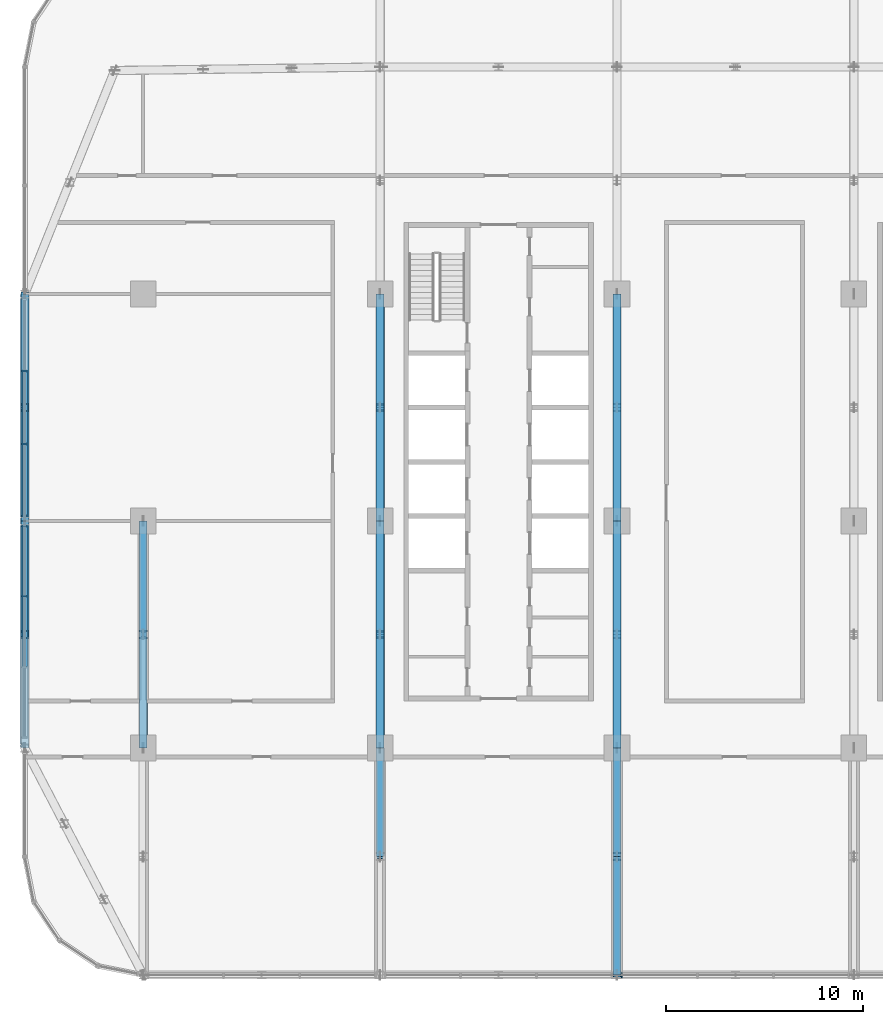
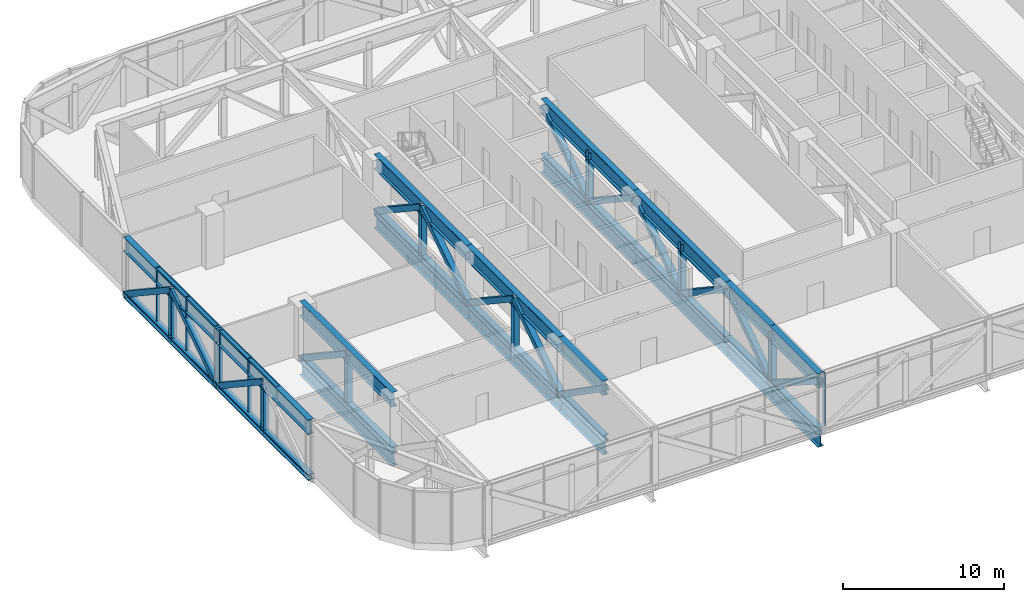
# One storey, part 4 of 30: 53 members, 8 beams, 3 elements without a shape of their own.
"""IFC4 building model written with IfcOpenShell, lengths in metres."""

from ifc_helpers import new_model, si_unit, direction, frame, origin, origin_2d, place, context, subcontext, project, spatial, rectangle, hollow_rectangle, i_section, extrude, material, material_profile, profile_set, type_object, element, aggregate, save


model = new_model("IFC4")

# Units and contexts
model_context = context("Model", 3, precision=1e-05, world=origin(), true_north=direction((0.0, 1.0)))
body_context = subcontext(model_context, "Body", "Model", "MODEL_VIEW")
ifc_project = project(units=[si_unit("LENGTHUNIT", "METRE"), si_unit("AREAUNIT", "SQUARE_METRE"), si_unit("VOLUMEUNIT", "CUBIC_METRE"), si_unit("PLANEANGLEUNIT", "RADIAN"), si_unit("MASSUNIT", "GRAM", prefix="KILO")], contexts=[model_context])

# Site, building, storey
site_placement = place(None, origin())
site = spatial("IfcSite", under=ifc_project, at=site_placement, CompositionType="ELEMENT")
building_placement = place(site_placement, origin())
building = spatial("IfcBuilding", under=site, at=building_placement, Name="Mahtab Terrace Research Tower", CompositionType="ELEMENT")
storey_placement = place(building_placement, frame((0.0, 0.0, 154.800048828125)))
storey = spatial("IfcBuildingStorey", under=building, at=storey_placement, Name="L36", CompositionType="ELEMENT", Elevation=154.800048828125)

# Members
ifc_material_1 = material(Name="Steel ASTM A500 Gr C", Category="steel")
ifc_material_profile_1 = material_profile(ifc_material_1, hollow_rectangle(XDim=0.406494140625, YDim=0.406494140625, WallThickness=0.015869140625, at=origin_2d()), Name="HSS16X16X5/8")
ifc_profile_set_1 = profile_set([ifc_material_profile_1], Name="Steel ASTM A500 Gr C")
member_type_1 = type_object("IfcMemberType", Name="HSS 16x16x5/8 brace TD161658", PredefinedType="BRACE", material=ifc_profile_set_1)
for number, where, z_axis, x_axis, name in (
    (1, (-48.0, 0.0, -0.317626953125), (0.0, -0.833017600398, 0.553246488852), (1.0, 0.0, 0.0), "Transfer truss T4 diagonal 003"),
    (2, (-48.0, 0.0, -0.317626953125), (0.0, 0.833017600398, 0.553246488852), (-1.0, 0.0, 0.0), "Transfer truss T4 diagonal 004"),
    (3, (-48.0, 11.5, -0.317626953125), (0.0, -0.833017600398, 0.553246488852), (1.0, 0.0, 0.0), "Transfer truss T4 diagonal 005"),
    (4, (-42.0, 0.0, -0.317626953125), (0.0, -0.833017600398, 0.553246488852), (1.0, 0.0, 0.0), "Transfer truss T4 diagonal 016"),
):
    element("IfcMember", number, at=place(storey_placement, frame(where, z_axis=z_axis, x_axis=x_axis)), inside=storey, type_object=member_type_1, Name=name, PredefinedType="BRACE", context=body_context, shape_type="SweptSolid", body=[
        extrude(hollow_rectangle(XDim=0.406494140625, YDim=0.406494140625, WallThickness=0.015869140625, at=origin_2d()), origin(), (0.0, 0.0, 1.0), 6.902587890625),
    ])
member_1_placement = place(storey_placement, frame((-30.0, -11.5, -0.317626953125), z_axis=(0.0, -0.821411720884, 0.570335677294), x_axis=(1.0, 0.0, 0.0)))
element("IfcMember", 5, at=member_1_placement, inside=storey, type_object=member_type_1, Name="Transfer truss T4 diagonal 024", PredefinedType="BRACE", context=body_context, shape_type="SweptSolid", body=[
    extrude(hollow_rectangle(XDim=0.406494140625, YDim=0.406494140625, WallThickness=0.015869140625, at=origin_2d()), origin(), (0.0, 0.0, 1.0), 6.69580078125),
])
for number, where, z_axis, x_axis, name in (
    (6, (-30.0, -11.5, -0.317626953125), (0.0, 0.833017600398, 0.553246488852), (-1.0, 0.0, 0.0), "Transfer truss T4 diagonal 025"),
    (7, (-30.0, 0.0, -0.317626953125), (0.0, -0.833017600398, 0.553246488852), (1.0, 0.0, 0.0), "Transfer truss T4 diagonal 026"),
    (8, (-30.0, 0.0, -0.317626953125), (0.0, 0.833017600398, 0.553246488852), (-1.0, 0.0, 0.0), "Transfer truss T4 diagonal 027"),
    (9, (-30.0, 11.5, -0.317626953125), (0.0, -0.833017600398, 0.553246488852), (1.0, 0.0, 0.0), "Transfer truss T4 diagonal 028"),
):
    element("IfcMember", number, at=place(storey_placement, frame(where, z_axis=z_axis, x_axis=x_axis)), inside=storey, type_object=member_type_1, Name=name, PredefinedType="BRACE", context=body_context, shape_type="SweptSolid", body=[
        extrude(hollow_rectangle(XDim=0.406494140625, YDim=0.406494140625, WallThickness=0.015869140625, at=origin_2d()), origin(), (0.0, 0.0, 1.0), 6.902587890625),
    ])
member_2_placement = place(storey_placement, frame((-18.0, -17.0, -0.317626953125), z_axis=(0.0, -0.843619081223, 0.536942125183), x_axis=(1.0, 0.0, 0.0)))
element("IfcMember", 10, at=member_2_placement, inside=storey, type_object=member_type_1, Name="Transfer truss T4 diagonal 038", PredefinedType="BRACE", context=body_context, shape_type="SweptSolid", body=[
    extrude(hollow_rectangle(XDim=0.406494140625, YDim=0.406494140625, WallThickness=0.015869140625, at=origin_2d()), origin(), (0.0, 0.0, 1.0), 7.1123046875),
])
member_3_placement = place(storey_placement, frame((-18.0, -17.0, -0.317626953125), z_axis=(0.0, 0.821411720884, 0.570335677294), x_axis=(-1.0, 0.0, 0.0)))
element("IfcMember", 11, at=member_3_placement, inside=storey, type_object=member_type_1, Name="Transfer truss T4 diagonal 039", PredefinedType="BRACE", context=body_context, shape_type="SweptSolid", body=[
    extrude(hollow_rectangle(XDim=0.406494140625, YDim=0.406494140625, WallThickness=0.015869140625, at=origin_2d()), origin(), (0.0, 0.0, 1.0), 6.69580078125),
])
for number, where, z_axis, x_axis, name in (
    (12, (-18.0, -5.75, -0.317626953125), (0.0, -0.833017600398, 0.553246488852), (1.0, 0.0, 0.0), "Transfer truss T4 diagonal 040"),
    (13, (-18.0, -5.75, -0.317626953125), (0.0, 0.833017600398, 0.553246488852), (-1.0, 0.0, 0.0), "Transfer truss T4 diagonal 041"),
    (14, (-18.0, 5.75, -0.317626953125), (0.0, -0.833017600398, 0.553246488852), (1.0, 0.0, 0.0), "Transfer truss T4 diagonal 042"),
    (15, (-18.0, 5.75, -0.317626953125), (0.0, 0.833017600398, 0.553246488852), (-1.0, 0.0, 0.0), "Transfer truss T4 diagonal 043"),
):
    element("IfcMember", number, at=place(storey_placement, frame(where, z_axis=z_axis, x_axis=x_axis)), inside=storey, type_object=member_type_1, Name=name, PredefinedType="BRACE", context=body_context, shape_type="SweptSolid", body=[
        extrude(hollow_rectangle(XDim=0.406494140625, YDim=0.406494140625, WallThickness=0.015869140625, at=origin_2d()), origin(), (0.0, 0.0, 1.0), 6.902587890625),
    ])

# Curtain wall, members
ifc_material_2 = material(Name="Sky lounge full-height curtain wall")
curtain_wall_type = type_object("IfcCurtainWallType", Name="Sky lounge full-height curtain wall", PredefinedType="NOTDEFINED", material=ifc_material_2)
curtain_wall_1_placement = place(storey_placement, origin())
curtain_wall_1 = element("IfcCurtainWall", 16, at=curtain_wall_1_placement, inside=storey, type_object=curtain_wall_type, Name="EN.L36.11.1", PredefinedType="NOTDEFINED")
ifc_material_3 = material(Name="Natural anodised aluminium", Category="aluminium")
ifc_material_profile_2 = material_profile(ifc_material_3, rectangle(XDim=0.25, YDim=0.070068359375, at=origin_2d()), Name="MULLION 70x250")
ifc_profile_set_2 = profile_set([ifc_material_profile_2], Name="Natural anodised aluminium")
member_type_2 = type_object("IfcMemberType", Name="Sky lounge full-height curtain wall mullion", PredefinedType="MULLION", material=ifc_profile_set_2)
member_4_placement = place(storey_placement, frame((-48.0, 7.593994140625, 0.0), z_axis=(0.0, 0.0, 1.0), x_axis=(1.0, 0.0, 0.0)))
member_4 = element("IfcMember", 17, at=member_4_placement, type_object=member_type_2, Name="CWS-T4 mullion 2", PredefinedType="MULLION", context=body_context, shape_type="SweptSolid", body=[
    extrude(rectangle(XDim=0.25, YDim=0.070068359375, at=origin_2d()), origin(), (0.0, 0.0, 1.0), 4.06005859375),
])
member_5_placement = place(storey_placement, frame((-48.0, 3.906005859375, 0.0), z_axis=(0.0, 0.0, 1.0), x_axis=(1.0, 0.0, 0.0)))
member_5 = element("IfcMember", 18, at=member_5_placement, type_object=member_type_2, Name="CWS-T4 mullion 3", PredefinedType="MULLION", context=body_context, shape_type="SweptSolid", body=[
    extrude(rectangle(XDim=0.25, YDim=0.070068359375, at=origin_2d()), origin(), (0.0, 0.0, 1.0), 4.06005859375),
])
member_6_placement = place(storey_placement, frame((-48.0, 0.2529296875, 0.0), z_axis=(0.0, 0.0, 1.0), x_axis=(1.0, 0.0, 0.0)))
member_6 = element("IfcMember", 19, at=member_6_placement, type_object=member_type_2, Name="CWS-T4 mullion 4", PredefinedType="MULLION", context=body_context, shape_type="SweptSolid", body=[
    extrude(rectangle(XDim=0.25, YDim=0.070068359375, at=origin_2d()), origin(), (0.0, 0.0, 1.0), 4.06005859375),
])

curtain_wall_2_placement = place(storey_placement, origin())
curtain_wall_2 = element("IfcCurtainWall", 20, at=curtain_wall_2_placement, inside=storey, type_object=curtain_wall_type, Name="EN.L36.11.2", PredefinedType="NOTDEFINED")
member_7_placement = place(storey_placement, frame((-48.0, -0.2529296875, 0.0), z_axis=(0.0, 0.0, 1.0), x_axis=(1.0, 0.0, 0.0)))
member_7 = element("IfcMember", 21, at=member_7_placement, type_object=member_type_2, Name="CWS-T4 mullion 1", PredefinedType="MULLION", context=body_context, shape_type="SweptSolid", body=[
    extrude(rectangle(XDim=0.25, YDim=0.070068359375, at=origin_2d()), origin(), (0.0, 0.0, 1.0), 4.06005859375),
])
member_8_placement = place(storey_placement, frame((-48.0, -3.81201171875, 0.0), z_axis=(0.0, 0.0, 1.0), x_axis=(1.0, 0.0, 0.0)))
member_8 = element("IfcMember", 22, at=member_8_placement, type_object=member_type_2, Name="CWS-T4 mullion 2", PredefinedType="MULLION", context=body_context, shape_type="SweptSolid", body=[
    extrude(rectangle(XDim=0.25, YDim=0.070068359375, at=origin_2d()), origin(), (0.0, 0.0, 1.0), 4.06005859375),
])

# Curtain wall, member
curtain_wall_3_placement = place(storey_placement, origin())
curtain_wall_3 = element("IfcCurtainWall", 23, at=curtain_wall_3_placement, inside=storey, type_object=curtain_wall_type, Name="EN.L36.17.2", PredefinedType="NOTDEFINED")
member_9_placement = place(storey_placement, frame((-17.757080078125, -23.0, 0.0), z_axis=(0.0, 0.0, 1.0), x_axis=(0.0, 1.0, 0.0)))
member_9 = element("IfcMember", 24, at=member_9_placement, type_object=member_type_2, Name="CWS-T4 mullion 1", PredefinedType="MULLION", context=body_context, shape_type="SweptSolid", body=[
    extrude(rectangle(XDim=0.25, YDim=0.070068359375, at=origin_2d()), origin(), (0.0, 0.0, 1.0), 4.06005859375),
])
aggregate(curtain_wall_3, [member_9])

# Member
ifc_material_profile_3 = material_profile(ifc_material_3, rectangle(XDim=0.25, YDim=0.1201171875, at=origin_2d()), Name="TRANSOM 120x250")
ifc_profile_set_3 = profile_set([ifc_material_profile_3], Name="Natural anodised aluminium")
member_type_3 = type_object("IfcMemberType", Name="Sky lounge full-height curtain wall transom", PredefinedType="USERDEFINED", material=ifc_profile_set_3)
member_10_placement = place(storey_placement, frame((-48.0, 7.55908203125, 4.0), z_axis=(0.0, -1.0, 0.0), x_axis=(1.0, 0.0, 0.0)))
member_10 = element("IfcMember", 25, at=member_10_placement, type_object=member_type_3, Name="CWS-T4 transom 2", ObjectType="TRANSOM", PredefinedType="USERDEFINED", context=body_context, shape_type="SweptSolid", body=[
    extrude(rectangle(XDim=0.25, YDim=0.1201171875, at=origin_2d()), origin(), (0.0, 0.0, 1.0), 3.6181640625),
])

member_11_placement = place(storey_placement, frame((-48.0, 3.87109375, 4.0), z_axis=(0.0, -1.0, 0.0), x_axis=(1.0, 0.0, 0.0)))
member_11 = element("IfcMember", 26, at=member_11_placement, type_object=member_type_3, Name="CWS-T4 transom 3", ObjectType="TRANSOM", PredefinedType="USERDEFINED", context=body_context, shape_type="SweptSolid", body=[
    extrude(rectangle(XDim=0.25, YDim=0.1201171875, at=origin_2d()), origin(), (0.0, 0.0, 1.0), 3.5830078125),
])

aggregate(curtain_wall_1, [member_4, member_5, member_6, member_10, member_11])

member_12_placement = place(storey_placement, frame((-48.0, -0.2880859375, 4.0), z_axis=(0.0, -1.0, 0.0), x_axis=(1.0, 0.0, 0.0)))
member_12 = element("IfcMember", 27, at=member_12_placement, type_object=member_type_3, Name="CWS-T4 transom 1", ObjectType="TRANSOM", PredefinedType="USERDEFINED", context=body_context, shape_type="SweptSolid", body=[
    extrude(rectangle(XDim=0.25, YDim=0.1201171875, at=origin_2d()), origin(), (0.0, 0.0, 1.0), 3.489013671875),
])

member_13_placement = place(storey_placement, frame((-48.0, -3.846923828125, 4.0), z_axis=(0.0, -1.0, 0.0), x_axis=(1.0, 0.0, 0.0)))
member_13 = element("IfcMember", 28, at=member_13_placement, type_object=member_type_3, Name="CWS-T4 transom 2", ObjectType="TRANSOM", PredefinedType="USERDEFINED", context=body_context, shape_type="SweptSolid", body=[
    extrude(rectangle(XDim=0.25, YDim=0.1201171875, at=origin_2d()), origin(), (0.0, 0.0, 1.0), 3.524169921875),
])

aggregate(curtain_wall_2, [member_7, member_8, member_12, member_13])

# Members
ifc_material_4 = material(Name="Steel ASTM A992 Gr 50", Category="steel")
ifc_material_profile_4 = material_profile(ifc_material_4, i_section(OverallWidth=0.396240234375, OverallDepth=0.381103515625, WebThickness=0.018798828125, FlangeThickness=0.0302734375, at=origin_2d()), Name="W14X159")
ifc_profile_set_4 = profile_set([ifc_material_profile_4], Name="Steel ASTM A992 Gr 50")
member_type_4 = type_object("IfcMemberType", Name="W14x159 post TP14159", PredefinedType="POST", material=ifc_profile_set_4)
for number, where, z_axis, x_axis, name in (
    (29, (-48.0, -5.75, -0.317626953125), (0.0, 0.0, 1.0), (1.0, 0.0, 0.0), "Transfer truss T4 post 002"),
    (30, (-48.0, 5.75, -0.317626953125), (0.0, 0.0, 1.0), (1.0, 0.0, 0.0), "Transfer truss T4 post 004"),
    (31, (-42.0, -5.75, -0.317626953125), (0.0, 0.0, 1.0), (1.0, 0.0, 0.0), "Transfer truss T4 post 015"),
    (32, (-30.0, -5.75, -0.317626953125), (0.0, 0.0, 1.0), (1.0, 0.0, 0.0), "Transfer truss T4 post 025"),
    (33, (-30.0, 5.75, -0.317626953125), (0.0, 0.0, 1.0), (1.0, 0.0, 0.0), "Transfer truss T4 post 027"),
    (34, (-18.0, -17.0, -0.317626953125), (0.0, 0.0, 1.0), (1.0, 0.0, 0.0), "Transfer truss T4 post 036"),
    (35, (-18.0, -5.75, -0.317626953125), (0.0, 0.0, 1.0), (1.0, 0.0, 0.0), "Transfer truss T4 post 038"),
    (36, (-18.0, 5.75, -0.317626953125), (0.0, 0.0, 1.0), (1.0, 0.0, 0.0), "Transfer truss T4 post 040"),
):
    element("IfcMember", number, at=place(storey_placement, frame(where, z_axis=z_axis, x_axis=x_axis)), inside=storey, type_object=member_type_4, Name=name, PredefinedType="POST", context=body_context, shape_type="SweptSolid", body=[
        extrude(i_section(OverallWidth=0.396240234375, OverallDepth=0.381103515625, WebThickness=0.018798828125, FlangeThickness=0.0302734375, at=origin_2d()), origin(), (0.0, 0.0, 1.0), 3.81884765625),
    ])
ifc_material_profile_5 = material_profile(ifc_material_4, i_section(OverallWidth=0.421630859375, OverallDepth=0.46484375, WebThickness=0.044921875, FlangeThickness=0.072509765625, at=origin_2d()), Name="W14X398")
ifc_profile_set_5 = profile_set([ifc_material_profile_5], Name="Steel ASTM A992 Gr 50")
member_type_5 = type_object("IfcMemberType", Name="W14x398 chord TC14398", PredefinedType="CHORD", material=ifc_profile_set_5)
for number, where, z_axis, x_axis, name in (
    (37, (-48.0, 11.5, -0.317626953125), (0.0, -1.0, 0.0), (1.0, 0.0, 0.0), "Transfer truss T4 bottom chord 003"),
    (38, (-48.0, 0.0, -0.317626953125), (0.0, -1.0, 0.0), (1.0, 0.0, 0.0), "Transfer truss T4 bottom chord 004"),
    (39, (-42.0, -11.5, -0.317626953125), (0.0, 1.0, 0.0), (-1.0, 0.0, 0.0), "Transfer truss T4 bottom chord 025"),
):
    element("IfcMember", number, at=place(storey_placement, frame(where, z_axis=z_axis, x_axis=x_axis)), inside=storey, type_object=member_type_5, Name=name, PredefinedType="CHORD", context=body_context, shape_type="SweptSolid", body=[
        extrude(i_section(OverallWidth=0.421630859375, OverallDepth=0.46484375, WebThickness=0.044921875, FlangeThickness=0.072509765625, at=origin_2d()), origin(), (0.0, 0.0, 1.0), 11.5),
    ])
member_14_placement = place(storey_placement, frame((-30.0, -17.0, -0.317626953125), z_axis=(0.0, 1.0, 0.0), x_axis=(-1.0, 0.0, 0.0)))
element("IfcMember", 40, at=member_14_placement, inside=storey, type_object=member_type_5, Name="Transfer truss T4 bottom chord 034", PredefinedType="CHORD", context=body_context, shape_type="SweptSolid", body=[
    extrude(i_section(OverallWidth=0.421630859375, OverallDepth=0.46484375, WebThickness=0.044921875, FlangeThickness=0.072509765625, at=origin_2d()), origin(), (0.0, 0.0, 1.0), 5.5),
])
for number, where, z_axis, x_axis, name in (
    (41, (-30.0, -11.5, -0.317626953125), (0.0, 1.0, 0.0), (-1.0, 0.0, 0.0), "Transfer truss T4 bottom chord 035"),
    (42, (-30.0, 0.0, -0.317626953125), (0.0, 1.0, 0.0), (-1.0, 0.0, 0.0), "Transfer truss T4 bottom chord 036"),
):
    element("IfcMember", number, at=place(storey_placement, frame(where, z_axis=z_axis, x_axis=x_axis)), inside=storey, type_object=member_type_5, Name=name, PredefinedType="CHORD", context=body_context, shape_type="SweptSolid", body=[
        extrude(i_section(OverallWidth=0.421630859375, OverallDepth=0.46484375, WebThickness=0.044921875, FlangeThickness=0.072509765625, at=origin_2d()), origin(), (0.0, 0.0, 1.0), 11.5),
    ])
member_15_placement = place(storey_placement, frame((-18.0, -23.0, -0.317626953125), z_axis=(0.0, 1.0, 0.0), x_axis=(-1.0, 0.0, 0.0)))
element("IfcMember", 43, at=member_15_placement, inside=storey, type_object=member_type_5, Name="Transfer truss T4 bottom chord 039", PredefinedType="CHORD", context=body_context, shape_type="SweptSolid", body=[
    extrude(i_section(OverallWidth=0.421630859375, OverallDepth=0.46484375, WebThickness=0.044921875, FlangeThickness=0.072509765625, at=origin_2d()), origin(), (0.0, 0.0, 1.0), 6.0),
])
member_16_placement = place(storey_placement, frame((-18.0, -17.0, -0.317626953125), z_axis=(0.0, 1.0, 0.0), x_axis=(-1.0, 0.0, 0.0)))
element("IfcMember", 44, at=member_16_placement, inside=storey, type_object=member_type_5, Name="Transfer truss T4 bottom chord 040", PredefinedType="CHORD", context=body_context, shape_type="SweptSolid", body=[
    extrude(i_section(OverallWidth=0.421630859375, OverallDepth=0.46484375, WebThickness=0.044921875, FlangeThickness=0.072509765625, at=origin_2d()), origin(), (0.0, 0.0, 1.0), 5.5),
])
for number, where, z_axis, x_axis, name in (
    (45, (-18.0, -11.5, -0.317626953125), (0.0, 1.0, 0.0), (-1.0, 0.0, 0.0), "Transfer truss T4 bottom chord 041"),
    (46, (-18.0, 0.0, -0.317626953125), (0.0, 1.0, 0.0), (-1.0, 0.0, 0.0), "Transfer truss T4 bottom chord 042"),
):
    element("IfcMember", number, at=place(storey_placement, frame(where, z_axis=z_axis, x_axis=x_axis)), inside=storey, type_object=member_type_5, Name=name, PredefinedType="CHORD", context=body_context, shape_type="SweptSolid", body=[
        extrude(i_section(OverallWidth=0.421630859375, OverallDepth=0.46484375, WebThickness=0.044921875, FlangeThickness=0.072509765625, at=origin_2d()), origin(), (0.0, 0.0, 1.0), 11.5),
    ])

# Beams
ifc_material_profile_6 = material_profile(ifc_material_4, i_section(OverallWidth=0.4013671875, OverallDepth=1.000732421875, WebThickness=0.01904296875, FlangeThickness=0.0361328125, at=origin_2d()), Name="W40X249")
ifc_profile_set_6 = profile_set([ifc_material_profile_6], Name="Steel ASTM A992 Gr 50")
beam_type = type_object("IfcBeamType", Name="W40x249 transfer girder TG40249", PredefinedType="BEAM", material=ifc_profile_set_6)
for number, where, z_axis, x_axis, name in (
    (47, (-18.0, 0.0, -1.04833984375), (0.0, 1.0, 0.0), (-1.0, 0.0, 0.0), "Transfer girder T4 16"),
    (48, (-30.0, 0.0, -1.04833984375), (0.0, 1.0, 0.0), (-1.0, 0.0, 0.0), "Transfer girder T4 19"),
    (49, (-42.0, -11.5, -1.04833984375), (0.0, 1.0, 0.0), (-1.0, 0.0, 0.0), "Transfer girder T4 24"),
):
    element("IfcBeam", number, at=place(storey_placement, frame(where, z_axis=z_axis, x_axis=x_axis)), inside=storey, type_object=beam_type, Name=name, PredefinedType="BEAM", context=body_context, shape_type="SweptSolid", body=[
        extrude(i_section(OverallWidth=0.4013671875, OverallDepth=1.000732421875, WebThickness=0.01904296875, FlangeThickness=0.0361328125, at=origin_2d()), origin(), (0.0, 0.0, 1.0), 11.5),
    ])
beam_1_placement = place(storey_placement, frame((-30.0, -17.0, -1.04833984375), z_axis=(0.0, 1.0, 0.0), x_axis=(-1.0, 0.0, 0.0)))
element("IfcBeam", 50, at=beam_1_placement, inside=storey, type_object=beam_type, Name="Transfer girder T4 26", PredefinedType="BEAM", context=body_context, shape_type="SweptSolid", body=[
    extrude(i_section(OverallWidth=0.4013671875, OverallDepth=1.000732421875, WebThickness=0.01904296875, FlangeThickness=0.0361328125, at=origin_2d()), origin(), (0.0, 0.0, 1.0), 5.5),
])
beam_2_placement = place(storey_placement, frame((-30.0, -11.5, -1.04833984375), z_axis=(0.0, 1.0, 0.0), x_axis=(-1.0, 0.0, 0.0)))
element("IfcBeam", 51, at=beam_2_placement, inside=storey, type_object=beam_type, Name="Transfer girder T4 27", PredefinedType="BEAM", context=body_context, shape_type="SweptSolid", body=[
    extrude(i_section(OverallWidth=0.4013671875, OverallDepth=1.000732421875, WebThickness=0.01904296875, FlangeThickness=0.0361328125, at=origin_2d()), origin(), (0.0, 0.0, 1.0), 11.5),
])
beam_3_placement = place(storey_placement, frame((-18.0, -23.0, -1.04833984375), z_axis=(0.0, 1.0, 0.0), x_axis=(-1.0, 0.0, 0.0)))
element("IfcBeam", 52, at=beam_3_placement, inside=storey, type_object=beam_type, Name="Transfer girder T4 28", PredefinedType="BEAM", context=body_context, shape_type="SweptSolid", body=[
    extrude(i_section(OverallWidth=0.4013671875, OverallDepth=1.000732421875, WebThickness=0.01904296875, FlangeThickness=0.0361328125, at=origin_2d()), origin(), (0.0, 0.0, 1.0), 6.0),
])
beam_4_placement = place(storey_placement, frame((-18.0, -17.0, -1.04833984375), z_axis=(0.0, 1.0, 0.0), x_axis=(-1.0, 0.0, 0.0)))
element("IfcBeam", 53, at=beam_4_placement, inside=storey, type_object=beam_type, Name="Transfer girder T4 29", PredefinedType="BEAM", context=body_context, shape_type="SweptSolid", body=[
    extrude(i_section(OverallWidth=0.4013671875, OverallDepth=1.000732421875, WebThickness=0.01904296875, FlangeThickness=0.0361328125, at=origin_2d()), origin(), (0.0, 0.0, 1.0), 5.5),
])
beam_5_placement = place(storey_placement, frame((-18.0, -11.5, -1.04833984375), z_axis=(0.0, 1.0, 0.0), x_axis=(-1.0, 0.0, 0.0)))
element("IfcBeam", 54, at=beam_5_placement, inside=storey, type_object=beam_type, Name="Transfer girder T4 30", PredefinedType="BEAM", context=body_context, shape_type="SweptSolid", body=[
    extrude(i_section(OverallWidth=0.4013671875, OverallDepth=1.000732421875, WebThickness=0.01904296875, FlangeThickness=0.0361328125, at=origin_2d()), origin(), (0.0, 0.0, 1.0), 11.5),
])

# Members
ifc_material_profile_7 = material_profile(ifc_material_4, i_section(OverallWidth=0.40380859375, OverallDepth=1.11767578125, WebThickness=0.026123046875, FlangeThickness=0.044921875, at=origin_2d()), Name="W44X335")
ifc_profile_set_7 = profile_set([ifc_material_profile_7], Name="Steel ASTM A992 Gr 50")
member_type_6 = type_object("IfcMemberType", Name="W44x335 chord TT44335", PredefinedType="CHORD", material=ifc_profile_set_7)
for number, where, z_axis, x_axis, name in (
    (55, (-48.0, 11.5, 3.501220703125), (0.0, -1.0, 0.0), (1.0, 0.0, 0.0), "Transfer truss T4 top chord 003"),
    (56, (-48.0, 0.0, 3.501220703125), (0.0, -1.0, 0.0), (1.0, 0.0, 0.0), "Transfer truss T4 top chord 004"),
    (57, (-42.0, -11.5, 3.501220703125), (0.0, 1.0, 0.0), (-1.0, 0.0, 0.0), "Transfer truss T4 top chord 024"),
):
    element("IfcMember", number, at=place(storey_placement, frame(where, z_axis=z_axis, x_axis=x_axis)), inside=storey, type_object=member_type_6, Name=name, PredefinedType="CHORD", context=body_context, shape_type="SweptSolid", body=[
        extrude(i_section(OverallWidth=0.40380859375, OverallDepth=1.11767578125, WebThickness=0.026123046875, FlangeThickness=0.044921875, at=origin_2d()), origin(), (0.0, 0.0, 1.0), 11.5),
    ])
member_17_placement = place(storey_placement, frame((-30.0, -17.0, 3.501220703125), z_axis=(0.0, 1.0, 0.0), x_axis=(-1.0, 0.0, 0.0)))
element("IfcMember", 58, at=member_17_placement, inside=storey, type_object=member_type_6, Name="Transfer truss T4 top chord 033", PredefinedType="CHORD", context=body_context, shape_type="SweptSolid", body=[
    extrude(i_section(OverallWidth=0.40380859375, OverallDepth=1.11767578125, WebThickness=0.026123046875, FlangeThickness=0.044921875, at=origin_2d()), origin(), (0.0, 0.0, 1.0), 5.5),
])
for number, where, z_axis, x_axis, name in (
    (59, (-30.0, -11.5, 3.501220703125), (0.0, 1.0, 0.0), (-1.0, 0.0, 0.0), "Transfer truss T4 top chord 034"),
    (60, (-30.0, 0.0, 3.501220703125), (0.0, 1.0, 0.0), (-1.0, 0.0, 0.0), "Transfer truss T4 top chord 035"),
):
    element("IfcMember", number, at=place(storey_placement, frame(where, z_axis=z_axis, x_axis=x_axis)), inside=storey, type_object=member_type_6, Name=name, PredefinedType="CHORD", context=body_context, shape_type="SweptSolid", body=[
        extrude(i_section(OverallWidth=0.40380859375, OverallDepth=1.11767578125, WebThickness=0.026123046875, FlangeThickness=0.044921875, at=origin_2d()), origin(), (0.0, 0.0, 1.0), 11.5),
    ])
member_18_placement = place(storey_placement, frame((-18.0, -23.0, 3.501220703125), z_axis=(0.0, 1.0, 0.0), x_axis=(-1.0, 0.0, 0.0)))
element("IfcMember", 61, at=member_18_placement, inside=storey, type_object=member_type_6, Name="Transfer truss T4 top chord 038", PredefinedType="CHORD", context=body_context, shape_type="SweptSolid", body=[
    extrude(i_section(OverallWidth=0.40380859375, OverallDepth=1.11767578125, WebThickness=0.026123046875, FlangeThickness=0.044921875, at=origin_2d()), origin(), (0.0, 0.0, 1.0), 6.0),
])
member_19_placement = place(storey_placement, frame((-18.0, -17.0, 3.501220703125), z_axis=(0.0, 1.0, 0.0), x_axis=(-1.0, 0.0, 0.0)))
element("IfcMember", 62, at=member_19_placement, inside=storey, type_object=member_type_6, Name="Transfer truss T4 top chord 039", PredefinedType="CHORD", context=body_context, shape_type="SweptSolid", body=[
    extrude(i_section(OverallWidth=0.40380859375, OverallDepth=1.11767578125, WebThickness=0.026123046875, FlangeThickness=0.044921875, at=origin_2d()), origin(), (0.0, 0.0, 1.0), 5.5),
])
for number, where, z_axis, x_axis, name in (
    (63, (-18.0, -11.5, 3.501220703125), (0.0, 1.0, 0.0), (-1.0, 0.0, 0.0), "Transfer truss T4 top chord 040"),
    (64, (-18.0, 0.0, 3.501220703125), (0.0, 1.0, 0.0), (-1.0, 0.0, 0.0), "Transfer truss T4 top chord 041"),
):
    element("IfcMember", number, at=place(storey_placement, frame(where, z_axis=z_axis, x_axis=x_axis)), inside=storey, type_object=member_type_6, Name=name, PredefinedType="CHORD", context=body_context, shape_type="SweptSolid", body=[
        extrude(i_section(OverallWidth=0.40380859375, OverallDepth=1.11767578125, WebThickness=0.026123046875, FlangeThickness=0.044921875, at=origin_2d()), origin(), (0.0, 0.0, 1.0), 11.5),
    ])

save(model, "model.ifc")
